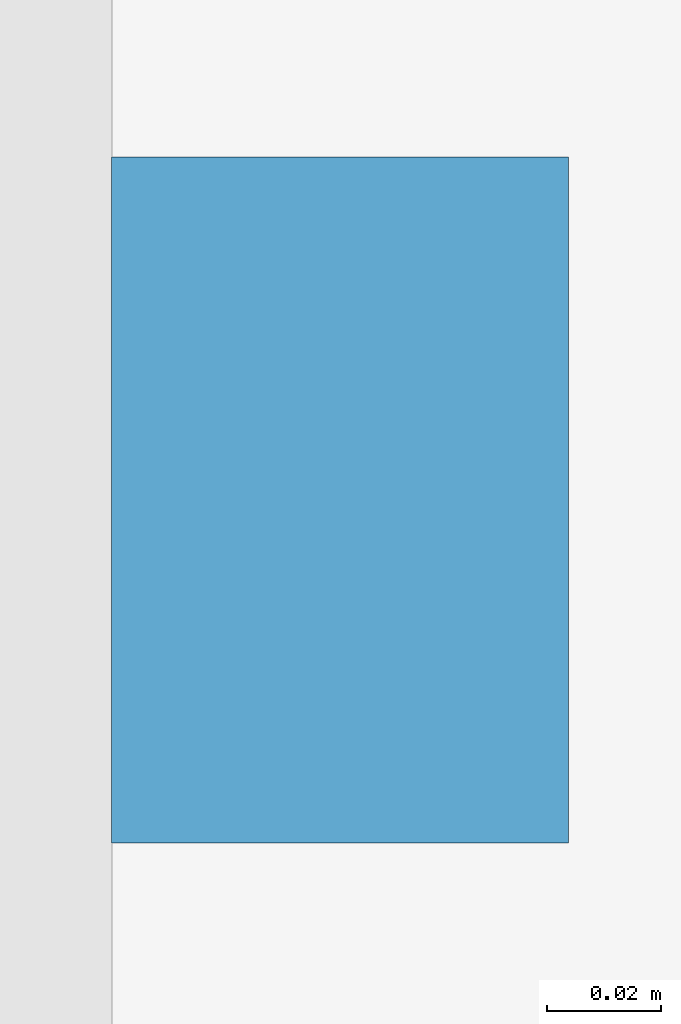
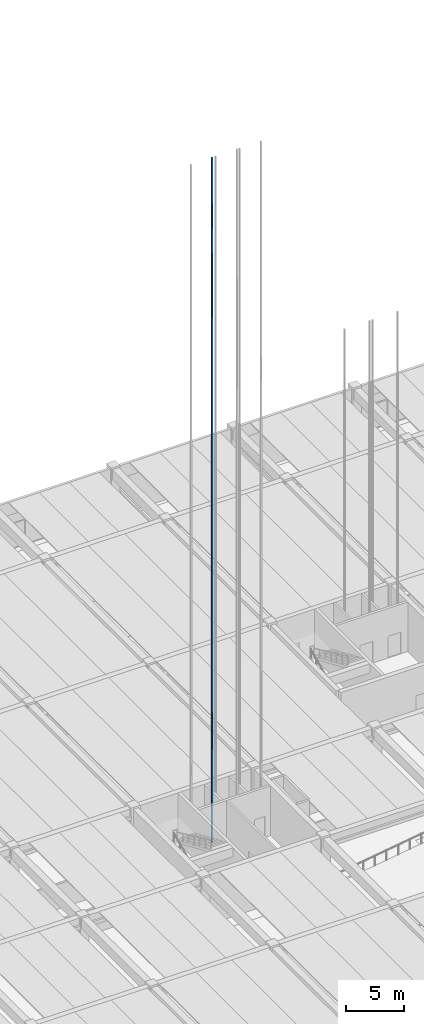
# One storey, part 38 of 59: 1 discrete accessory.
"""IFC4 building model written with IfcOpenShell, lengths in metres."""

import ifcopenshell
import ifcopenshell.guid

model = None  # the IFC model being written
_history = None  # IfcOwnerHistory: only IFC2X3 demands one
_inside = {}  # id of a spatial element -> (the spatial element, [elements in it])
_under = {}  # id of a project, library or spatial element -> (it, [spatial elements below it])
_declared = {}  # id of a project -> (the project, [libraries it declares])
_typed = {}  # id of a type object -> (the type object, [elements of that type])
_made_of = {}  # id of a material, layer set ... -> (it, [elements and type objects made of it])


def new_model(schema):
    """Start an empty IFC model of exactly this schema.

    Asked for "IFC4X3", IfcOpenShell would pick the latest addendum, in which some entities
    have other attributes; the version numbers below select the first issue.
    IFC2X3 requires an IfcOwnerHistory on every rooted entity: one is made here for all.
    """
    global model, _history
    if schema == "IFC4X3":
        model = ifcopenshell.file(schema_version=(4, 3, 0, 0))
    else:
        model = ifcopenshell.file(schema=schema)
    _inside.clear()
    _under.clear()
    _declared.clear()
    _typed.clear()
    _made_of.clear()
    _history = None
    if model.schema == "IFC2X3":
        org = make("IfcOrganization", Name="unknown")
        user = make(
            "IfcPersonAndOrganization",
            ThePerson=make("IfcPerson", FamilyName="unknown"),
            TheOrganization=org,
        )
        app = make(
            "IfcApplication",
            ApplicationDeveloper=org,
            Version="unknown",
            ApplicationFullName="unknown",
            ApplicationIdentifier="unknown",
        )
        _history = make(
            "IfcOwnerHistory",
            OwningUser=user,
            OwningApplication=app,
            ChangeAction="ADDED",
            CreationDate=0,
        )
    return model


def make(cls, **values):
    """One entity of the class cls with the attributes given. An attribute that is None is left unset."""
    return model.create_entity(
        cls, **{name: value for name, value in values.items() if value is not None}
    )


def rooted(cls, **values):
    """An entity with a GlobalId (a new one), such as an element, a storey or a relation."""
    return make(cls, GlobalId=ifcopenshell.guid.new(), OwnerHistory=_history, **values)


def si_unit(unit_type, name, prefix=None):
    """IfcSIUnit, for example si_unit("LENGTHUNIT", "METRE", prefix="MILLI")."""
    return make("IfcSIUnit", UnitType=unit_type, Prefix=prefix, Name=name)


def assignment(units):
    """IfcUnitAssignment: the units of a project."""
    return None if units is None else make("IfcUnitAssignment", Units=units)


def point(xyz):
    """IfcCartesianPoint."""
    return None if xyz is None else make("IfcCartesianPoint", Coordinates=xyz)


def direction(xyz):
    """IfcDirection."""
    return None if xyz is None else make("IfcDirection", DirectionRatios=xyz)


def frame(location, z_axis=None, x_axis=None):
    """IfcAxis2Placement3D, a coordinate frame: its origin and axes. An axis left out is left unset."""
    return make(
        "IfcAxis2Placement3D",
        Location=point(location),
        Axis=direction(z_axis),
        RefDirection=direction(x_axis),
    )


def frame_2d(location, x_axis=None):
    """IfcAxis2Placement2D, a coordinate frame in the plane: its origin and x axis."""
    return make(
        "IfcAxis2Placement2D", Location=point(location), RefDirection=direction(x_axis)
    )


def origin():
    """The frame at (0, 0, 0) with its axes left unset."""
    return frame((0.0, 0.0, 0.0))


def origin_2d():
    """The frame at (0, 0) in the plane with its x axis left unset."""
    return frame_2d((0.0, 0.0))


def place(relative_to, where):
    """IfcLocalPlacement: puts the frame where relative to a parent placement (None: the world)."""
    return make(
        "IfcLocalPlacement", PlacementRelTo=relative_to, RelativePlacement=where
    )


def context(
    kind, dimensions, precision=None, world=None, true_north=None, identifier=None
):
    """IfcGeometricRepresentationContext, for example the 3D "Model" context."""
    return make(
        "IfcGeometricRepresentationContext",
        ContextIdentifier=identifier,
        ContextType=kind,
        CoordinateSpaceDimension=dimensions,
        Precision=precision,
        WorldCoordinateSystem=world,
        TrueNorth=true_north,
    )


def subcontext(parent, identifier, kind, view, scale=None):
    """IfcGeometricRepresentationSubContext, for example "Body" below "Model"."""
    return make(
        "IfcGeometricRepresentationSubContext",
        ContextIdentifier=identifier,
        ContextType=kind,
        ParentContext=parent,
        TargetScale=scale,
        TargetView=view,
    )


def project(units=None, contexts=None):
    """IfcProject with its units and contexts."""
    return rooted(
        "IfcProject",
        Name="project",
        RepresentationContexts=contexts,
        UnitsInContext=assignment(units),
    )


def spatial(cls, under=None, at=None, **own):
    """A site, building, storey or space (cls), placed at a placement, below another one or the project."""
    s = rooted(cls, ObjectPlacement=at, **own)
    if under is not None:
        _under.setdefault(under.id(), (under, []))[1].append(s)
    return s


def profile(cls, at=None, kind="AREA", **sizes):
    """A parametric profile (cls). Its sizes go by their IFC names, for example OverallWidth=200.0."""
    return make(cls, ProfileType=kind, Position=at, **sizes)


def rectangle(**sizes):
    """IfcRectangleProfileDef."""
    return profile("IfcRectangleProfileDef", **sizes)


def extrude(swept, where, along, depth):
    """IfcExtrudedAreaSolid: the profile swept, set in the frame where, extruded along a direction by depth."""
    return make(
        "IfcExtrudedAreaSolid",
        SweptArea=swept,
        Position=where,
        ExtrudedDirection=direction(along),
        Depth=depth,
    )


def shape(context_of_items, identifier, shape_type, items):
    """IfcShapeRepresentation: the items that make up one representation, for example the "Body"."""
    return make(
        "IfcShapeRepresentation",
        ContextOfItems=context_of_items,
        RepresentationIdentifier=identifier,
        RepresentationType=shape_type,
        Items=items,
    )


def material(Name=None, Category=None):
    """IfcMaterial."""
    return make("IfcMaterial", Name=Name, Category=Category)


def made_of(thing, what):
    """Note that an element or type object is made of a material, layer set ...; save() writes the relation."""
    if what is not None:
        _made_of.setdefault(what.id(), (what, []))[1].append(thing)
    return thing


def type_object(cls, material=None, **own):
    """A type object (cls), such as IfcWallType, which elements share."""
    return made_of(rooted(cls, **own), material)


def element(
    cls,
    number,
    at=None,
    inside=None,
    cuts=None,
    type_object=None,
    material=None,
    context=None,
    identifier="Body",
    shape_type=None,
    held_by="IfcProductDefinitionShape",
    body=None,
    shapes=None,
    **own,
):
    """One element of the class cls, such as IfcWall. Its Tag is "e" and its number.

    at: its placement. inside: the storey or other place that contains it. cuts: it is an
    opening in that element (IfcRelVoidsElement). A single representation is given by context,
    identifier, shape_type and body (its items); several are given by shapes. held_by: the class
    of the entity that holds the representations. save() writes the other relations.
    """
    e = rooted(cls, Tag="e%d" % number, ObjectPlacement=at, **own)
    if body is not None:
        shapes = [shape(context, identifier, shape_type, body)]
    if shapes is not None:
        e.Representation = make(held_by, Representations=shapes)
    if inside is not None:
        _inside.setdefault(inside.id(), (inside, []))[1].append(e)
    if cuts is not None:
        rooted(
            "IfcRelVoidsElement", RelatingBuildingElement=cuts, RelatedOpeningElement=e
        )
    if type_object is not None:
        _typed.setdefault(type_object.id(), (type_object, []))[1].append(e)
    return made_of(e, material)


def aggregate(whole, parts):
    """IfcRelAggregates: a whole, such as a stair, and the parts it consists of."""
    return rooted("IfcRelAggregates", RelatingObject=whole, RelatedObjects=parts)


def save(model, path):
    """Write the relations noted so far, then the file.

    IfcRelAggregates (storeys below a building ...), IfcRelContainedInSpatialStructure (elements
    in a storey), IfcRelDefinesByType, IfcRelAssociatesMaterial and IfcRelDeclares: one each for
    every whole, place, type object, material and project.
    """
    for whole, parts in _under.values():
        aggregate(whole, parts)
    for where, things in _inside.values():
        rooted(
            "IfcRelContainedInSpatialStructure",
            RelatedElements=things,
            RelatingStructure=where,
        )
    for kind, things in _typed.values():
        rooted("IfcRelDefinesByType", RelatedObjects=things, RelatingType=kind)
    for what, things in _made_of.values():
        rooted("IfcRelAssociatesMaterial", RelatedObjects=things, RelatingMaterial=what)
    for by, libraries in _declared.values():
        rooted("IfcRelDeclares", RelatingContext=by, RelatedDefinitions=libraries)
    model.write(path)


model = new_model("IFC4")

# Units and contexts
model_context = context("Model", 3, precision=1e-05, world=origin(), true_north=direction((0.0, 1.0)))
body_context = subcontext(model_context, "Body", "Model", "MODEL_VIEW")
ifc_project = project(units=[si_unit("LENGTHUNIT", "METRE"), si_unit("AREAUNIT", "SQUARE_METRE"), si_unit("VOLUMEUNIT", "CUBIC_METRE"), si_unit("PLANEANGLEUNIT", "RADIAN"), si_unit("MASSUNIT", "GRAM", prefix="KILO")], contexts=[model_context])

# Site, building, storey
site_placement = place(None, origin())
site = spatial("IfcSite", under=ifc_project, at=site_placement, CompositionType="ELEMENT")
building_placement = place(site_placement, origin())
building = spatial("IfcBuilding", under=site, at=building_placement, Name="Girod Span Mobility Hub", CompositionType="ELEMENT")
storey_placement = place(building_placement, origin())
storey = spatial("IfcBuildingStorey", under=building, at=storey_placement, Name="L00", CompositionType="ELEMENT", Elevation=0.0)

# Discrete accessory
ifc_material = material(Name="Steel A992 Grade 50", Category="steel")
discrete_accessory_type = type_object("IfcDiscreteAccessoryType", Name="ACC-LFT-RAIL", PredefinedType="USERDEFINED", material=ifc_material)
discrete_accessory_placement = place(storey_placement, frame((54.85498046875, 67.300048828125, 0.0), z_axis=(0.0, 0.0, 1.0), x_axis=(1.0, 0.0, 0.0)))
element("IfcDiscreteAccessory", 1, at=discrete_accessory_placement, inside=storey, type_object=discrete_accessory_type, Name="Hoistway Guide Rail FL-1-E", ObjectType="GUIDE RAIL", PredefinedType="USERDEFINED", context=body_context, shape_type="SweptSolid", body=[
    extrude(rectangle(XDim=0.080078125, YDim=0.1201171875, at=origin_2d()), origin(), (0.0, 0.0, 1.0), 71.949951171875),
])

save(model, "model.ifc")
